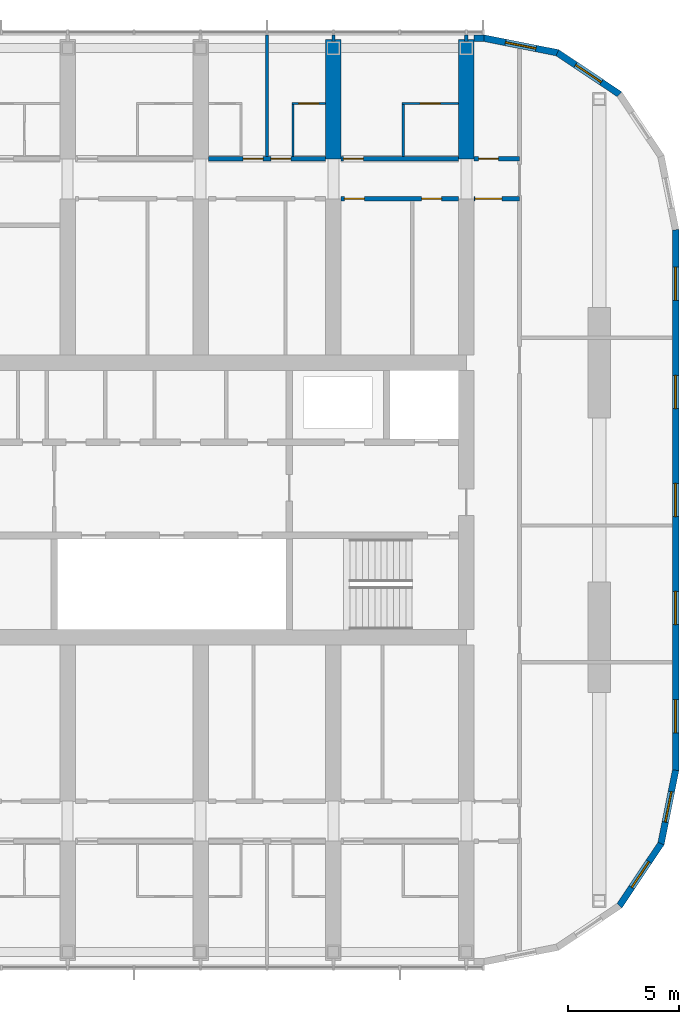
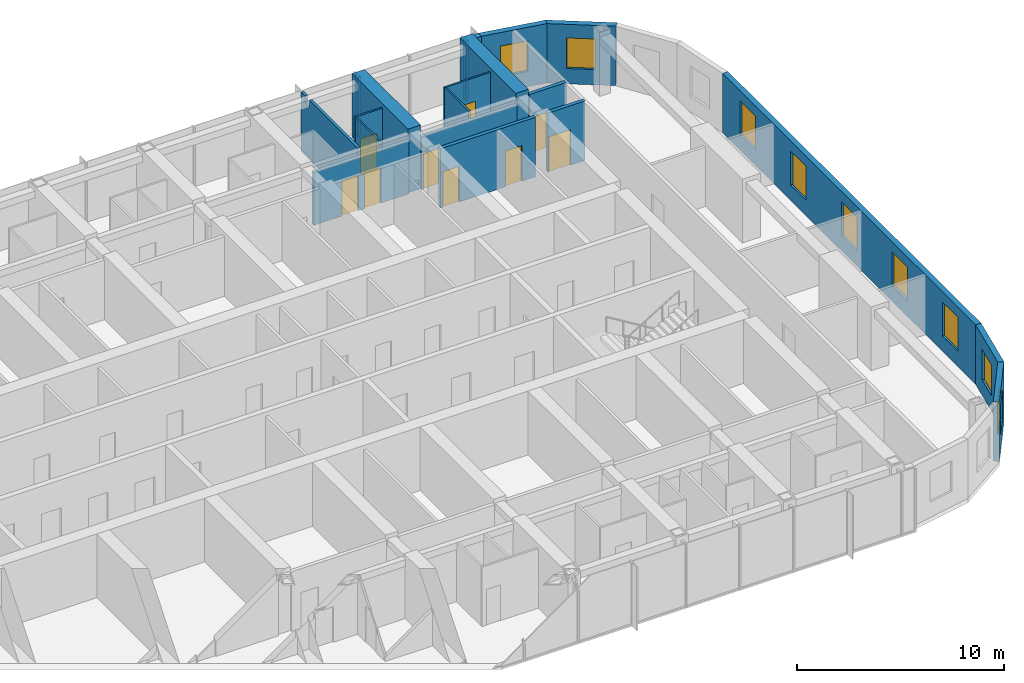
# One storey, part 17 of 23: 20 walls, 9 doors, 9 windows, 18 openings.
"""IFC4 building model written with IfcOpenShell, lengths in metres."""

from ifc_helpers import new_model, si_unit, direction, frame, frame_2d, origin, place, context, subcontext, project, spatial, polyline, rectangle, outline, extrude, material, layer, layer_set, type_object, element, fill, save


model = new_model("IFC4")

# Units and contexts
model_context = context("Model", 3, precision=1e-05, world=origin(), true_north=direction((0.0, 1.0)))
body_context = subcontext(model_context, "Body", "Model", "MODEL_VIEW")
ifc_project = project(units=[si_unit("LENGTHUNIT", "METRE"), si_unit("AREAUNIT", "SQUARE_METRE"), si_unit("VOLUMEUNIT", "CUBIC_METRE"), si_unit("PLANEANGLEUNIT", "RADIAN"), si_unit("MASSUNIT", "GRAM", prefix="KILO")], contexts=[model_context])

# Site, building, storey
site_placement = place(None, origin())
site = spatial("IfcSite", under=ifc_project, at=site_placement, CompositionType="ELEMENT")
building_placement = place(site_placement, origin())
building = spatial("IfcBuilding", under=site, at=building_placement, Name="Orbita Commons", CompositionType="ELEMENT")
storey_placement = place(building_placement, frame((0.0, 0.0, 220.300048828125)))
storey = spatial("IfcBuildingStorey", under=building, at=storey_placement, Name="L54", CompositionType="ELEMENT", Elevation=220.300048828125)

# Wall, openings, doors
ifc_material_1 = material(Name="Concrete blockwork", Category="masonry")
ifc_layer_1 = layer(ifc_material_1, 0.199951171875)
ifc_layer_set_1 = layer_set([ifc_layer_1], Name="Concrete blockwork")
wall_type_1 = type_object("IfcWallType", Name="Corridor wall 200 blockwork", PredefinedType="SOLIDWALL", material=ifc_layer_set_1)
wall_1_placement = place(storey_placement, frame((54.35009765625, 47.39990234375, 0.0), z_axis=(0.0, 0.0, 1.0), x_axis=(1.0, 0.0, 0.0)))
wall_1 = element("IfcWall", 1, at=wall_1_placement, inside=storey, type_object=wall_type_1, Name="Corridor wall 200 blockwork L54", PredefinedType="SOLIDWALL", context=body_context, shape_type="SweptSolid", body=[
    extrude(outline(polyline([(0.0, 0.0), (5.2998046875, 0.0), (5.300048828125, 3.099853515625), (0.0, 3.099853515625), (0.0, 0.0)])), frame((0.0, 0.10009765625, 0.0), z_axis=(0.0, -1.0, 0.0), x_axis=(1.0, 0.0, 0.0)), (0.0, 0.0, 1.0), 0.199951171875),
])
opening_1_placement = place(wall_1_placement, frame((1.574951171875, 0.0, 0.0)))
opening_1 = element("IfcOpeningElement", 2, at=opening_1_placement, cuts=wall_1, Name="Opening D11", PredefinedType="OPENING", context=body_context, shape_type="SweptSolid", body=[
    extrude(rectangle(XDim=0.89990234375, YDim=2.10009765625, at=frame_2d((0.449951171875, 1.050048828125))), frame((0.0, 0.10986328125, 0.0), z_axis=(0.0, -1.0, 0.0), x_axis=(1.0, 0.0, 0.0)), (0.0, 0.0, 1.0), 0.219970703125),
])
opening_2_placement = place(wall_1_placement, frame((2.824951171875, 0.0, 0.0)))
opening_2 = element("IfcOpeningElement", 3, at=opening_2_placement, cuts=wall_1, Name="Opening D11", PredefinedType="OPENING", context=body_context, shape_type="SweptSolid", body=[
    extrude(rectangle(XDim=0.89990234375, YDim=2.10009765625, at=frame_2d((0.449951171875, 1.050048828125))), frame((0.0, 0.10986328125, 0.0), z_axis=(0.0, -1.0, 0.0), x_axis=(1.0, 0.0, 0.0)), (0.0, 0.0, 1.0), 0.219970703125),
])
ifc_material_2 = material(Name="Steel-faced fire door leaf", Category="steel")
door_type_1 = type_object("IfcDoorType", Name="Corridor door 20 min 900x2100", OperationType="SINGLE_SWING_LEFT", PredefinedType="DOOR", material=ifc_material_2)
door_1_placement = place(opening_1_placement, origin())
door_1 = element("IfcDoor", 4, at=door_1_placement, inside=storey, type_object=door_type_1, Name="Cluster bedroom L54-N12 door", OperationType="SINGLE_SWING_LEFT", OverallHeight=2.10009765625, OverallWidth=0.89990234375, PredefinedType="DOOR", context=body_context, shape_type="SweptSolid", body=[
    extrude(rectangle(XDim=0.89990234375, YDim=2.10009765625, at=frame_2d((0.449951171875, 1.050048828125))), frame((0.0, 0.02490234375, 0.0), z_axis=(0.0, -1.0, 0.0), x_axis=(1.0, 0.0, 0.0)), (0.0, 0.0, 1.0), 0.050048828125),
])
fill(opening_1, door_1)
door_2_placement = place(opening_2_placement, origin())
door_2 = element("IfcDoor", 5, at=door_2_placement, inside=storey, type_object=door_type_1, Name="Cluster bedroom L54-N13 door", OperationType="SINGLE_SWING_LEFT", OverallHeight=2.10009765625, OverallWidth=0.89990234375, PredefinedType="DOOR", context=body_context, shape_type="SweptSolid", body=[
    extrude(rectangle(XDim=0.89990234375, YDim=2.10009765625, at=frame_2d((0.449951171875, 1.050048828125))), frame((0.0, 0.02490234375, 0.0), z_axis=(0.0, -1.0, 0.0), x_axis=(1.0, 0.0, 0.0)), (0.0, 0.0, 1.0), 0.050048828125),
])
fill(opening_2, door_2)

# Wall, opening, door
wall_2_placement = place(storey_placement, frame((60.35009765625, 47.39990234375, 0.0), z_axis=(0.0, 0.0, 1.0), x_axis=(1.0, 0.0, 0.0)))
wall_2 = element("IfcWall", 6, at=wall_2_placement, inside=storey, type_object=wall_type_1, Name="Corridor wall 200 blockwork L54", PredefinedType="SOLIDWALL", context=body_context, shape_type="SweptSolid", body=[
    extrude(outline(polyline([(0.0, 0.0), (5.2998046875, 0.0), (5.300048828125, 3.099853515625), (0.0, 3.099853515625), (0.0, 0.0)])), frame((0.0, 0.10009765625, 0.0), z_axis=(0.0, -1.0, 0.0), x_axis=(1.0, 0.0, 0.0)), (0.0, 0.0, 1.0), 0.199951171875),
])
opening_3_placement = place(wall_2_placement, frame((0.10009765625, 0.0, 0.0)))
opening_3 = element("IfcOpeningElement", 7, at=opening_3_placement, cuts=wall_2, Name="Opening D11", PredefinedType="OPENING", context=body_context, shape_type="SweptSolid", body=[
    extrude(rectangle(XDim=0.89990234375, YDim=2.10009765625, at=frame_2d((0.449951171875, 1.050048828125))), frame((0.0, 0.10986328125, 0.0), z_axis=(0.0, -1.0, 0.0), x_axis=(1.0, 0.0, 0.0)), (0.0, 0.0, 1.0), 0.219970703125),
])
door_3_placement = place(opening_3_placement, origin())
door_3 = element("IfcDoor", 8, at=door_3_placement, inside=storey, type_object=door_type_1, Name="Studio apartment with kitchenette L54-N14 door", OperationType="SINGLE_SWING_LEFT", OverallHeight=2.10009765625, OverallWidth=0.89990234375, PredefinedType="DOOR", context=body_context, shape_type="SweptSolid", body=[
    extrude(rectangle(XDim=0.89990234375, YDim=2.10009765625, at=frame_2d((0.449951171875, 1.050048828125))), frame((0.0, 0.02490234375, 0.0), z_axis=(0.0, -1.0, 0.0), x_axis=(1.0, 0.0, 0.0)), (0.0, 0.0, 1.0), 0.050048828125),
])
fill(opening_3, door_3)

wall_3_placement = place(storey_placement, frame((66.35009765625, 47.39990234375, 0.0), z_axis=(0.0, 0.0, 1.0), x_axis=(1.0, 0.0, 0.0)))
wall_3 = element("IfcWall", 9, at=wall_3_placement, inside=storey, type_object=wall_type_1, Name="Corridor wall 200 blockwork L54", PredefinedType="SOLIDWALL", context=body_context, shape_type="SweptSolid", body=[
    extrude(rectangle(XDim=2.0498046875, YDim=0.199951171875, at=frame_2d((1.02490234375, 0.0))), origin(), (0.0, 0.0, 1.0), 3.5),
])
opening_4_placement = place(wall_3_placement, frame((0.199951171875, 0.0, 0.0)))
opening_4 = element("IfcOpeningElement", 10, at=opening_4_placement, cuts=wall_3, Name="Opening D05", PredefinedType="OPENING", context=body_context, shape_type="SweptSolid", body=[
    extrude(rectangle(XDim=0.89990234375, YDim=2.10009765625, at=frame_2d((0.449951171875, 1.050048828125))), frame((0.0, 0.10986328125, 0.0), z_axis=(0.0, -1.0, 0.0), x_axis=(1.0, 0.0, 0.0)), (0.0, 0.0, 1.0), 0.219970703125),
])
ifc_material_3 = material(Name="Steel-faced fire door leaf", Category="steel")
door_type_2 = type_object("IfcDoorType", Name="Service door 20 min 900x2100", OperationType="SINGLE_SWING_LEFT", PredefinedType="DOOR", material=ifc_material_3)
door_4_placement = place(opening_4_placement, origin())
door_4 = element("IfcDoor", 11, at=door_4_placement, inside=storey, type_object=door_type_2, Name="Linen store L54-KEN door", OperationType="SINGLE_SWING_LEFT", OverallHeight=2.10009765625, OverallWidth=0.89990234375, PredefinedType="DOOR", context=body_context, shape_type="SweptSolid", body=[
    extrude(rectangle(XDim=0.89990234375, YDim=2.10009765625, at=frame_2d((0.449951171875, 1.050048828125))), frame((0.0, 0.02490234375, 0.0), z_axis=(0.0, -1.0, 0.0), x_axis=(1.0, 0.0, 0.0)), (0.0, 0.0, 1.0), 0.050048828125),
])
fill(opening_4, door_4)

# Wall, openings, doors
ifc_material_4 = material(Name="Hollow concrete block 200", Category="concrete")
ifc_layer_2 = layer(ifc_material_4, 0.199951171875)
ifc_layer_set_2 = layer_set([ifc_layer_2], Name="Hollow concrete block 200")
wall_type_2 = type_object("IfcWallType", Name="Corridor wall 200 hollow concrete block", PredefinedType="SOLIDWALL", material=ifc_layer_set_2)
wall_4_placement = place(storey_placement, frame((60.35009765625, 45.60009765625, 0.0), z_axis=(0.0, 0.0, 1.0), x_axis=(1.0, 0.0, 0.0)))
wall_4 = element("IfcWall", 12, at=wall_4_placement, inside=storey, type_object=wall_type_2, Name="Corridor wall 200 hollow concrete block L54", PredefinedType="SOLIDWALL", context=body_context, shape_type="SweptSolid", body=[
    extrude(rectangle(XDim=5.2998046875, YDim=0.199951171875, at=frame_2d((2.64990234375, 0.0))), origin(), (0.0, 0.0, 1.0), 3.5),
])
opening_5_placement = place(wall_4_placement, frame((0.14990234375, 0.0, 0.0)))
opening_5 = element("IfcOpeningElement", 13, at=opening_5_placement, cuts=wall_4, Name="Opening D11", PredefinedType="OPENING", context=body_context, shape_type="SweptSolid", body=[
    extrude(rectangle(XDim=0.89990234375, YDim=2.10009765625, at=frame_2d((0.449951171875, 1.050048828125))), frame((0.0, 0.10986328125, 0.0), z_axis=(0.0, -1.0, 0.0), x_axis=(1.0, 0.0, 0.0)), (0.0, 0.0, 1.0), 0.219970703125),
])
opening_6_placement = place(wall_4_placement, frame((3.635009765625, 0.0, 0.0)))
opening_6 = element("IfcOpeningElement", 14, at=opening_6_placement, cuts=wall_4, Name="Opening D11", PredefinedType="OPENING", context=body_context, shape_type="SweptSolid", body=[
    extrude(rectangle(XDim=0.89990234375, YDim=2.10009765625, at=frame_2d((0.449951171875, 1.050048828125))), frame((0.0, 0.10986328125, 0.0), z_axis=(0.0, -1.0, 0.0), x_axis=(1.0, 0.0, 0.0)), (0.0, 0.0, 1.0), 0.219970703125),
])
door_5_placement = place(opening_5_placement, origin())
door_5 = element("IfcDoor", 15, at=door_5_placement, inside=storey, type_object=door_type_1, Name="Parcel and post room L54-BDN60 door", OperationType="SINGLE_SWING_LEFT", OverallHeight=2.10009765625, OverallWidth=0.89990234375, PredefinedType="DOOR", context=body_context, shape_type="SweptSolid", body=[
    extrude(rectangle(XDim=0.89990234375, YDim=2.10009765625, at=frame_2d((0.449951171875, 1.050048828125))), frame((0.0, 0.02490234375, 0.0), z_axis=(0.0, -1.0, 0.0), x_axis=(1.0, 0.0, 0.0)), (0.0, 0.0, 1.0), 0.050048828125),
])
fill(opening_5, door_5)
door_6_placement = place(opening_6_placement, origin())
door_6 = element("IfcDoor", 16, at=door_6_placement, inside=storey, type_object=door_type_1, Name="Sprinkler valve room L54-BDN60n door", OperationType="SINGLE_SWING_LEFT", OverallHeight=2.10009765625, OverallWidth=0.89990234375, PredefinedType="DOOR", context=body_context, shape_type="SweptSolid", body=[
    extrude(rectangle(XDim=0.89990234375, YDim=2.10009765625, at=frame_2d((0.449951171875, 1.050048828125))), frame((0.0, 0.02490234375, 0.0), z_axis=(0.0, -1.0, 0.0), x_axis=(1.0, 0.0, 0.0)), (0.0, 0.0, 1.0), 0.050048828125),
])
fill(opening_6, door_6)

# Wall, opening, door
wall_5_placement = place(storey_placement, frame((66.35009765625, 45.60009765625, 0.0), z_axis=(0.0, 0.0, 1.0), x_axis=(1.0, 0.0, 0.0)))
wall_5 = element("IfcWall", 17, at=wall_5_placement, inside=storey, type_object=wall_type_2, Name="Corridor wall 200 hollow concrete block L54", PredefinedType="SOLIDWALL", context=body_context, shape_type="SweptSolid", body=[
    extrude(rectangle(XDim=2.0498046875, YDim=0.199951171875, at=frame_2d((1.02490234375, 0.0))), origin(), (0.0, 0.0, 1.0), 3.5),
])
opening_7_placement = place(wall_5_placement, frame((0.050048828125, 0.0, 0.0)))
opening_7 = element("IfcOpeningElement", 18, at=opening_7_placement, cuts=wall_5, Name="Opening D12", PredefinedType="OPENING", context=body_context, shape_type="SweptSolid", body=[
    extrude(rectangle(XDim=1.199951171875, YDim=2.10009765625, at=frame_2d((0.60009765625, 1.050048828125))), frame((0.0, 0.10986328125, 0.0), z_axis=(0.0, -1.0, 0.0), x_axis=(1.0, 0.0, 0.0)), (0.0, 0.0, 1.0), 0.219970703125),
])
ifc_material_5 = material(Name="Steel-faced fire door leaf", Category="steel")
door_type_3 = type_object("IfcDoorType", Name="Double corridor door 20 min 1200x2100", OperationType="DOUBLE_DOOR_SINGLE_SWING", PredefinedType="DOOR", material=ifc_material_5)
door_7_placement = place(opening_7_placement, origin())
door_7 = element("IfcDoor", 19, at=door_7_placement, inside=storey, type_object=door_type_3, Name="Cross corridor doors", OperationType="DOUBLE_DOOR_SINGLE_SWING", OverallHeight=2.10009765625, OverallWidth=1.199951171875, PredefinedType="DOOR", context=body_context, shape_type="SweptSolid", body=[
    extrude(rectangle(XDim=1.199951171875, YDim=2.10009765625, at=frame_2d((0.60009765625, 1.050048828125))), frame((0.0, 0.02490234375, 0.0), z_axis=(0.0, -1.0, 0.0), x_axis=(1.0, 0.0, 0.0)), (0.0, 0.0, 1.0), 0.050048828125),
])
fill(opening_7, door_7)

# Walls
ifc_material_6 = material(Name="Concrete C50/60", Category="concrete")
ifc_layer_3 = layer(ifc_material_6, 0.699951171875)
ifc_layer_set_3 = layer_set([ifc_layer_3], Name="Concrete C50/60")
wall_type_3 = type_object("IfcWallType", Name="Cross wall 700 C50/60", PredefinedType="SHEAR", material=ifc_layer_set_3)
for number, where, z_axis, x_axis, name in (
    (20, (60.0, 47.39990234375, 0.0), (0.0, 0.0, 1.0), (0.0, 1.0, 0.0), "Cross wall 11 north outer L54"),
    (21, (66.0, 47.39990234375, 0.0), (0.0, 0.0, 1.0), (0.0, 1.0, 0.0), "Cross wall 12 north outer L54"),
):
    element("IfcWall", number, at=place(storey_placement, frame(where, z_axis=z_axis, x_axis=x_axis)), inside=storey, type_object=wall_type_3, Name=name, PredefinedType="SHEAR", context=body_context, shape_type="SweptSolid", body=[
        extrude(rectangle(XDim=5.400146484375, YDim=0.699951171875, at=frame_2d((2.7001953125, 0.0))), origin(), (0.0, 0.0, 1.0), 3.75),
    ])

# Wall, opening, door
ifc_material_7 = material(Name="Moisture-resistant plasterboard on steel studs", Category="steel")
ifc_layer_4 = layer(ifc_material_7, 0.10009765625)
ifc_layer_set_4 = layer_set([ifc_layer_4], Name="Moisture-resistant plasterboard on steel studs")
wall_type_4 = type_object("IfcWallType", Name="En-suite partition 100", PredefinedType="PARTITIONING", material=ifc_layer_set_4)
wall_6_placement = place(storey_placement, frame((58.125, 49.89990234375, 0.0), z_axis=(0.0, 0.0, 1.0), x_axis=(1.0, 0.0, 0.0)))
wall_6 = element("IfcWall", 22, at=wall_6_placement, inside=storey, type_object=wall_type_4, Name="En-suite partition 100 L54", PredefinedType="PARTITIONING", context=body_context, shape_type="SweptSolid", body=[
    extrude(rectangle(XDim=1.52490234375, YDim=0.10009765625, at=frame_2d((0.762451171875, 0.0))), origin(), (0.0, 0.0, 1.0), 3.5),
])
opening_8_placement = place(wall_6_placement, frame((0.3125, 0.0, 0.0)))
opening_8 = element("IfcOpeningElement", 23, at=opening_8_placement, cuts=wall_6, Name="Opening D09", PredefinedType="OPENING", context=body_context, shape_type="SweptSolid", body=[
    extrude(rectangle(XDim=0.89990234375, YDim=2.10009765625, at=frame_2d((0.449951171875, 1.050048828125))), frame((0.0, 0.06005859375, 0.0), z_axis=(0.0, -1.0, 0.0), x_axis=(1.0, 0.0, 0.0)), (0.0, 0.0, 1.0), 0.1201171875),
])
ifc_material_8 = material(Name="Laminated timber door leaf", Category="wood")
door_type_4 = type_object("IfcDoorType", Name="En-suite door 900x2100", OperationType="SINGLE_SWING_RIGHT", PredefinedType="DOOR", material=ifc_material_8)
door_8_placement = place(opening_8_placement, origin())
door_8 = element("IfcDoor", 24, at=door_8_placement, inside=storey, type_object=door_type_4, Name="En-suite L54-N13 door", OperationType="SINGLE_SWING_RIGHT", OverallHeight=2.10009765625, OverallWidth=0.89990234375, PredefinedType="DOOR", context=body_context, shape_type="SweptSolid", body=[
    extrude(rectangle(XDim=0.89990234375, YDim=2.10009765625, at=frame_2d((0.449951171875, 1.050048828125))), frame((0.0, 0.02490234375, 0.0), z_axis=(0.0, -1.0, 0.0), x_axis=(1.0, 0.0, 0.0)), (0.0, 0.0, 1.0), 0.050048828125),
])
fill(opening_8, door_8)

# Wall
wall_7_placement = place(storey_placement, frame((58.175048828125, 49.85009765625, 0.0), z_axis=(0.0, 0.0, 1.0), x_axis=(0.0, -1.0, 0.0)))
element("IfcWall", 25, at=wall_7_placement, inside=storey, type_object=wall_type_4, Name="En-suite partition 100 L54", PredefinedType="PARTITIONING", context=body_context, shape_type="SweptSolid", body=[
    extrude(outline(polyline([(0.0, 0.0), (2.35009765625, 0.0), (2.35009765625, 3.099853515625), (2.302001953125, 3.099853515625), (2.300048828125, 3.5), (0.0, 3.5), (0.0, 0.0)])), frame((0.0, 0.050048828125, 0.0), z_axis=(0.0, -1.0, 0.0), x_axis=(1.0, 0.0, 0.0)), (0.0, 0.0, 1.0), 0.10009765625),
])

# Wall, opening, door
wall_8_placement = place(storey_placement, frame((63.10009765625, 49.89990234375, 0.0), z_axis=(0.0, 0.0, 1.0), x_axis=(1.0, 0.0, 0.0)))
wall_8 = element("IfcWall", 26, at=wall_8_placement, inside=storey, type_object=wall_type_4, Name="En-suite partition 100 L54", PredefinedType="PARTITIONING", context=body_context, shape_type="SweptSolid", body=[
    extrude(rectangle(XDim=2.5498046875, YDim=0.10009765625, at=frame_2d((1.27490234375, 0.0))), origin(), (0.0, 0.0, 1.0), 3.5),
])
opening_9_placement = place(wall_8_placement, frame((0.824951171875, 0.0, 0.0)))
opening_9 = element("IfcOpeningElement", 27, at=opening_9_placement, cuts=wall_8, Name="Opening D09", PredefinedType="OPENING", context=body_context, shape_type="SweptSolid", body=[
    extrude(rectangle(XDim=0.89990234375, YDim=2.10009765625, at=frame_2d((0.449951171875, 1.050048828125))), frame((0.0, 0.06005859375, 0.0), z_axis=(0.0, -1.0, 0.0), x_axis=(1.0, 0.0, 0.0)), (0.0, 0.0, 1.0), 0.1201171875),
])
door_9_placement = place(opening_9_placement, origin())
door_9 = element("IfcDoor", 28, at=door_9_placement, inside=storey, type_object=door_type_4, Name="En-suite L54-N14 door", OperationType="SINGLE_SWING_RIGHT", OverallHeight=2.10009765625, OverallWidth=0.89990234375, PredefinedType="DOOR", context=body_context, shape_type="SweptSolid", body=[
    extrude(rectangle(XDim=0.89990234375, YDim=2.10009765625, at=frame_2d((0.449951171875, 1.050048828125))), frame((0.0, 0.02490234375, 0.0), z_axis=(0.0, -1.0, 0.0), x_axis=(1.0, 0.0, 0.0)), (0.0, 0.0, 1.0), 0.050048828125),
])
fill(opening_9, door_9)

# Walls
wall_9_placement = place(storey_placement, frame((63.14990234375, 49.85009765625, 0.0), z_axis=(0.0, 0.0, 1.0), x_axis=(0.0, -1.0, 0.0)))
element("IfcWall", 29, at=wall_9_placement, inside=storey, type_object=wall_type_4, Name="En-suite partition 100 L54", PredefinedType="PARTITIONING", context=body_context, shape_type="SweptSolid", body=[
    extrude(outline(polyline([(0.0, 0.0), (2.35009765625, 0.0), (2.35009765625, 3.099853515625), (2.302001953125, 3.099853515625), (2.300048828125, 3.5), (0.0, 3.5), (0.0, 0.0)])), frame((0.0, 0.050048828125, 0.0), z_axis=(0.0, -1.0, 0.0), x_axis=(1.0, 0.0, 0.0)), (0.0, 0.0, 1.0), 0.10009765625),
])
ifc_material_9 = material(Name="Gypsum plasterboard on steel studs", Category="steel")
ifc_layer_5 = layer(ifc_material_9, 0.14990234375)
ifc_layer_set_5 = layer_set([ifc_layer_5], Name="Gypsum plasterboard on steel studs")
wall_type_5 = type_object("IfcWallType", Name="Partition 150 plasterboard", PredefinedType="PARTITIONING", material=ifc_layer_set_5)
for number, where, z_axis, x_axis, name in (
    (30, (60.0, 52.699951171875, 0.0), (0.0, 0.0, 1.0), (0.0, 1.0, 0.0), "Partition 150 plasterboard L54"),
    (31, (66.0, 52.699951171875, 0.0), (0.0, 0.0, 1.0), (0.0, 1.0, 0.0), "Partition 150 plasterboard L54"),
):
    element("IfcWall", number, at=place(storey_placement, frame(where, z_axis=z_axis, x_axis=x_axis)), inside=storey, type_object=wall_type_5, Name=name, PredefinedType="PARTITIONING", context=body_context, shape_type="SweptSolid", body=[
        extrude(rectangle(XDim=0.2900390625, YDim=0.14990234375, at=frame_2d((0.14501953125, 0.0))), origin(), (0.0, 0.0, 1.0), 3.5),
    ])
ifc_material_10 = material(Name="Gypsum plasterboard on steel studs", Category="steel")
ifc_layer_6 = layer(ifc_material_10, 0.14990234375)
ifc_layer_set_6 = layer_set([ifc_layer_6], Name="Gypsum plasterboard on steel studs")
wall_type_6 = type_object("IfcWallType", Name="Party wall 150 plasterboard", PredefinedType="PARTITIONING", material=ifc_layer_set_6)
wall_10_placement = place(storey_placement, frame((57.0, 52.989990234375, 0.0), z_axis=(0.0, 0.0, 1.0), x_axis=(0.0, -1.0, 0.0)))
element("IfcWall", 32, at=wall_10_placement, inside=storey, type_object=wall_type_6, Name="Party wall 150 plasterboard L54", PredefinedType="PARTITIONING", context=body_context, shape_type="SweptSolid", body=[
    extrude(outline(polyline([(0.0, 0.0), (5.489990234375, 0.0), (5.489990234375, 3.099853515625), (5.44189453125, 3.099853515625), (5.43994140625, 3.5), (0.7919921875, 3.5), (0.7900390625, 3.099853515625), (0.39208984375, 3.099853515625), (0.389892578125, 3.5), (0.0, 3.5), (0.0, 0.0)])), frame((0.0, 0.074951171875, 0.0), z_axis=(0.0, -1.0, 0.0), x_axis=(1.0, 0.0, 0.0)), (0.0, 0.0, 1.0), 0.14990234375),
])

# Wall, openings, windows
ifc_material_11 = material(Name="Precast concrete C40/50, white board-marked finish", Category="concrete")
ifc_layer_7 = layer(ifc_material_11, 0.300048828125)
ifc_layer_set_7 = layer_set([ifc_layer_7], Name="Precast concrete C40/50, white board-marked finish")
wall_type_7 = type_object("IfcWallType", Name="Precast concrete end shield 300", PredefinedType="SOLIDWALL", material=ifc_layer_set_7)
wall_11_placement = place(storey_placement, frame((75.449951171875, 19.800048828125, 0.0), z_axis=(0.0, 0.0, 1.0), x_axis=(0.0, 1.0, 0.0)))
wall_11 = element("IfcWall", 33, at=wall_11_placement, inside=storey, type_object=wall_type_7, Name="End shield E L54", PredefinedType="SOLIDWALL", context=body_context, shape_type="SweptSolid", body=[
    extrude(outline(polyline([(-0.014892578125, -0.14990234375), (24.414794921875, -0.14990234375), (24.385009765625, 0.14990234375), (0.014892578125, 0.14990234375), (-0.014892578125, -0.14990234375)])), origin(), (0.0, 0.0, 1.0), 3.5),
])
opening_10_placement = place(wall_11_placement, frame((1.68994140625, 0.0, 0.89990234375)))
opening_10 = element("IfcOpeningElement", 34, at=opening_10_placement, cuts=wall_11, Name="Opening W01", PredefinedType="OPENING", context=body_context, shape_type="SweptSolid", body=[
    extrude(rectangle(XDim=1.5, YDim=2.0, at=frame_2d((0.75, 1.0))), frame((0.0, 0.159912109375, 0.0), z_axis=(0.0, -1.0, 0.0), x_axis=(1.0, 0.0, 0.0)), (0.0, 0.0, 1.0), 0.320068359375),
])
opening_11_placement = place(wall_11_placement, frame((6.570068359375, 0.0, 0.89990234375)))
opening_11 = element("IfcOpeningElement", 35, at=opening_11_placement, cuts=wall_11, Name="Opening W01", PredefinedType="OPENING", context=body_context, shape_type="SweptSolid", body=[
    extrude(rectangle(XDim=1.5, YDim=2.0, at=frame_2d((0.75, 1.0))), frame((0.0, 0.159912109375, 0.0), z_axis=(0.0, -1.0, 0.0), x_axis=(1.0, 0.0, 0.0)), (0.0, 0.0, 1.0), 0.320068359375),
])
opening_12_placement = place(wall_11_placement, frame((11.449951171875, 0.0, 0.89990234375)))
opening_12 = element("IfcOpeningElement", 36, at=opening_12_placement, cuts=wall_11, Name="Opening W01", PredefinedType="OPENING", context=body_context, shape_type="SweptSolid", body=[
    extrude(rectangle(XDim=1.5, YDim=2.0, at=frame_2d((0.75, 1.0))), frame((0.0, 0.159912109375, 0.0), z_axis=(0.0, -1.0, 0.0), x_axis=(1.0, 0.0, 0.0)), (0.0, 0.0, 1.0), 0.320068359375),
])
opening_13_placement = place(wall_11_placement, frame((16.330078125, 0.0, 0.89990234375)))
opening_13 = element("IfcOpeningElement", 37, at=opening_13_placement, cuts=wall_11, Name="Opening W01", PredefinedType="OPENING", context=body_context, shape_type="SweptSolid", body=[
    extrude(rectangle(XDim=1.5, YDim=2.0, at=frame_2d((0.75, 1.0))), frame((0.0, 0.159912109375, 0.0), z_axis=(0.0, -1.0, 0.0), x_axis=(1.0, 0.0, 0.0)), (0.0, 0.0, 1.0), 0.320068359375),
])
opening_14_placement = place(wall_11_placement, frame((21.2099609375, 0.0, 0.89990234375)))
opening_14 = element("IfcOpeningElement", 38, at=opening_14_placement, cuts=wall_11, Name="Opening W01", PredefinedType="OPENING", context=body_context, shape_type="SweptSolid", body=[
    extrude(rectangle(XDim=1.5, YDim=2.0, at=frame_2d((0.75, 1.0))), frame((0.0, 0.159912109375, 0.0), z_axis=(0.0, -1.0, 0.0), x_axis=(1.0, 0.0, 0.0)), (0.0, 0.0, 1.0), 0.320068359375),
])
ifc_material_12 = material(Name="Aluminium frame, clear double glazing", Category="aluminium")
window_type_1 = type_object("IfcWindowType", Name="Deep-set window 1500x2000", PartitioningType="SINGLE_PANEL", PredefinedType="WINDOW", material=ifc_material_12)
window_1_placement = place(opening_10_placement, origin())
window_1 = element("IfcWindow", 39, at=window_1_placement, inside=storey, type_object=window_type_1, Name="Window L54-E 1", OverallHeight=2.0, OverallWidth=1.5, PartitioningType="SINGLE_PANEL", PredefinedType="WINDOW", context=body_context, shape_type="SweptSolid", body=[
    extrude(rectangle(XDim=1.5, YDim=2.0, at=frame_2d((0.75, 1.0))), frame((0.0, 0.030029296875, 0.0), z_axis=(0.0, -1.0, 0.0), x_axis=(1.0, 0.0, 0.0)), (0.0, 0.0, 1.0), 0.06005859375),
])
fill(opening_10, window_1)
window_2_placement = place(opening_11_placement, origin())
window_2 = element("IfcWindow", 40, at=window_2_placement, inside=storey, type_object=window_type_1, Name="Window L54-E 2", OverallHeight=2.0, OverallWidth=1.5, PartitioningType="SINGLE_PANEL", PredefinedType="WINDOW", context=body_context, shape_type="SweptSolid", body=[
    extrude(rectangle(XDim=1.5, YDim=2.0, at=frame_2d((0.75, 1.0))), frame((0.0, 0.030029296875, 0.0), z_axis=(0.0, -1.0, 0.0), x_axis=(1.0, 0.0, 0.0)), (0.0, 0.0, 1.0), 0.06005859375),
])
fill(opening_11, window_2)
window_3_placement = place(opening_12_placement, origin())
window_3 = element("IfcWindow", 41, at=window_3_placement, inside=storey, type_object=window_type_1, Name="Window L54-E 3", OverallHeight=2.0, OverallWidth=1.5, PartitioningType="SINGLE_PANEL", PredefinedType="WINDOW", context=body_context, shape_type="SweptSolid", body=[
    extrude(rectangle(XDim=1.5, YDim=2.0, at=frame_2d((0.75, 1.0))), frame((0.0, 0.030029296875, 0.0), z_axis=(0.0, -1.0, 0.0), x_axis=(1.0, 0.0, 0.0)), (0.0, 0.0, 1.0), 0.06005859375),
])
fill(opening_12, window_3)
window_4_placement = place(opening_13_placement, origin())
window_4 = element("IfcWindow", 42, at=window_4_placement, inside=storey, type_object=window_type_1, Name="Window L54-E 4", OverallHeight=2.0, OverallWidth=1.5, PartitioningType="SINGLE_PANEL", PredefinedType="WINDOW", context=body_context, shape_type="SweptSolid", body=[
    extrude(rectangle(XDim=1.5, YDim=2.0, at=frame_2d((0.75, 1.0))), frame((0.0, 0.030029296875, 0.0), z_axis=(0.0, -1.0, 0.0), x_axis=(1.0, 0.0, 0.0)), (0.0, 0.0, 1.0), 0.06005859375),
])
fill(opening_13, window_4)
window_5_placement = place(opening_14_placement, origin())
window_5 = element("IfcWindow", 43, at=window_5_placement, inside=storey, type_object=window_type_1, Name="Window L54-E 5", OverallHeight=2.0, OverallWidth=1.5, PartitioningType="SINGLE_PANEL", PredefinedType="WINDOW", context=body_context, shape_type="SweptSolid", body=[
    extrude(rectangle(XDim=1.5, YDim=2.0, at=frame_2d((0.75, 1.0))), frame((0.0, 0.030029296875, 0.0), z_axis=(0.0, -1.0, 0.0), x_axis=(1.0, 0.0, 0.0)), (0.0, 0.0, 1.0), 0.06005859375),
])
fill(opening_14, window_5)

# Wall, opening, window
wall_12_placement = place(storey_placement, frame((72.91650390625, 13.68359375, 0.0), z_axis=(0.0, 0.0, 1.0), x_axis=(0.555567969291, 0.831471124873, 0.0)))
wall_12 = element("IfcWall", 44, at=wall_12_placement, inside=storey, type_object=wall_type_7, Name="End shield SE chord 3 L54", PredefinedType="SOLIDWALL", context=body_context, shape_type="SweptSolid", body=[
    extrude(outline(polyline([(-0.02978515625, -0.14990234375), (3.40478515625, -0.14990234375), (3.34521484375, 0.14990234375), (0.02978515625, 0.14990234375), (-0.02978515625, -0.14990234375)])), origin(), (0.0, 0.0, 1.0), 3.5),
])
opening_15_placement = place(wall_12_placement, frame((0.987548828125, 0.0, 0.89990234375)))
opening_15 = element("IfcOpeningElement", 45, at=opening_15_placement, cuts=wall_12, Name="Opening W02", PredefinedType="OPENING", context=body_context, shape_type="SweptSolid", body=[
    extrude(rectangle(XDim=1.39990234375, YDim=1.800048828125, at=frame_2d((0.699951171875, 0.89990234375))), frame((0.0, 0.159912109375, 0.0), z_axis=(0.0, -1.0, 0.0), x_axis=(1.0, 0.0, 0.0)), (0.0, 0.0, 1.0), 0.320068359375),
])
ifc_material_13 = material(Name="Aluminium frame, clear double glazing", Category="aluminium")
window_type_2 = type_object("IfcWindowType", Name="Deep-set window 1400x1800", PartitioningType="SINGLE_PANEL", PredefinedType="WINDOW", material=ifc_material_13)
window_6_placement = place(opening_15_placement, origin())
window_6 = element("IfcWindow", 46, at=window_6_placement, inside=storey, type_object=window_type_2, Name="Window L54-SE2", OverallHeight=1.800048828125, OverallWidth=1.39990234375, PartitioningType="SINGLE_PANEL", PredefinedType="WINDOW", context=body_context, shape_type="SweptSolid", body=[
    extrude(rectangle(XDim=1.39990234375, YDim=1.800048828125, at=frame_2d((0.699951171875, 0.89990234375))), frame((0.0, 0.030029296875, 0.0), z_axis=(0.0, -1.0, 0.0), x_axis=(1.0, 0.0, 0.0)), (0.0, 0.0, 1.0), 0.06005859375),
])
fill(opening_15, window_6)

wall_13_placement = place(storey_placement, frame((74.79150390625, 16.48974609375, 0.0), z_axis=(0.0, 0.0, 1.0), x_axis=(0.19508664885, 0.980786011034, 0.0)))
wall_13 = element("IfcWall", 47, at=wall_13_placement, inside=storey, type_object=wall_type_7, Name="End shield SE chord 4 L54", PredefinedType="SOLIDWALL", context=body_context, shape_type="SweptSolid", body=[
    extrude(outline(polyline([(-0.02978515625, -0.14990234375), (3.39013671875, -0.14990234375), (3.3603515625, 0.14990234375), (0.02978515625, 0.14990234375), (-0.02978515625, -0.14990234375)])), origin(), (0.0, 0.0, 1.0), 3.5),
])
opening_16_placement = place(wall_13_placement, frame((0.987548828125, 0.0, 0.89990234375)))
opening_16 = element("IfcOpeningElement", 48, at=opening_16_placement, cuts=wall_13, Name="Opening W02", PredefinedType="OPENING", context=body_context, shape_type="SweptSolid", body=[
    extrude(rectangle(XDim=1.39990234375, YDim=1.800048828125, at=frame_2d((0.699951171875, 0.89990234375))), frame((0.0, 0.159912109375, 0.0), z_axis=(0.0, -1.0, 0.0), x_axis=(1.0, 0.0, 0.0)), (0.0, 0.0, 1.0), 0.320068359375),
])
window_7_placement = place(opening_16_placement, origin())
window_7 = element("IfcWindow", 49, at=window_7_placement, inside=storey, type_object=window_type_2, Name="Window L54-SE3", OverallHeight=1.800048828125, OverallWidth=1.39990234375, PartitioningType="SINGLE_PANEL", PredefinedType="WINDOW", context=body_context, shape_type="SweptSolid", body=[
    extrude(rectangle(XDim=1.39990234375, YDim=1.800048828125, at=frame_2d((0.699951171875, 0.89990234375))), frame((0.0, 0.030029296875, 0.0), z_axis=(0.0, -1.0, 0.0), x_axis=(1.0, 0.0, 0.0)), (0.0, 0.0, 1.0), 0.06005859375),
])
fill(opening_16, window_7)

wall_14_placement = place(storey_placement, frame((72.91650390625, 50.31640625, 0.0), z_axis=(0.0, 0.0, 1.0), x_axis=(-0.831460037396, 0.555584562613, 0.0)))
wall_14 = element("IfcWall", 50, at=wall_14_placement, inside=storey, type_object=wall_type_7, Name="End shield NE chord 3 L54", PredefinedType="SOLIDWALL", context=body_context, shape_type="SweptSolid", body=[
    extrude(outline(polyline([(-0.02978515625, -0.14990234375), (3.405029296875, -0.14990234375), (3.345458984375, 0.14990234375), (0.02978515625, 0.14990234375), (-0.02978515625, -0.14990234375)])), origin(), (0.0, 0.0, 1.0), 3.5),
])
opening_17_placement = place(wall_14_placement, frame((0.987548828125, 0.0, 0.89990234375)))
opening_17 = element("IfcOpeningElement", 51, at=opening_17_placement, cuts=wall_14, Name="Opening W02", PredefinedType="OPENING", context=body_context, shape_type="SweptSolid", body=[
    extrude(rectangle(XDim=1.39990234375, YDim=1.800048828125, at=frame_2d((0.699951171875, 0.89990234375))), frame((0.0, 0.159912109375, 0.0), z_axis=(0.0, -1.0, 0.0), x_axis=(1.0, 0.0, 0.0)), (0.0, 0.0, 1.0), 0.320068359375),
])
window_8_placement = place(opening_17_placement, origin())
window_8 = element("IfcWindow", 52, at=window_8_placement, inside=storey, type_object=window_type_2, Name="Window L54-NE2", OverallHeight=1.800048828125, OverallWidth=1.39990234375, PartitioningType="SINGLE_PANEL", PredefinedType="WINDOW", context=body_context, shape_type="SweptSolid", body=[
    extrude(rectangle(XDim=1.39990234375, YDim=1.800048828125, at=frame_2d((0.699951171875, 0.89990234375))), frame((0.0, 0.030029296875, 0.0), z_axis=(0.0, -1.0, 0.0), x_axis=(1.0, 0.0, 0.0)), (0.0, 0.0, 1.0), 0.06005859375),
])
fill(opening_17, window_8)

wall_15_placement = place(storey_placement, frame((70.110107421875, 52.191650390625, 0.0), z_axis=(0.0, 0.0, 1.0), x_axis=(-0.98078325777, 0.195100490205, 0.0)))
wall_15 = element("IfcWall", 53, at=wall_15_placement, inside=storey, type_object=wall_type_7, Name="End shield NE chord 4 L54", PredefinedType="SOLIDWALL", context=body_context, shape_type="SweptSolid", body=[
    extrude(outline(polyline([(-0.02978515625, -0.14990234375), (3.40478515625, -0.14990234375), (3.34521484375, 0.14990234375), (0.02978515625, 0.14990234375), (-0.02978515625, -0.14990234375)])), origin(), (0.0, 0.0, 1.0), 3.5),
])
opening_18_placement = place(wall_15_placement, frame((0.987548828125, 0.0, 0.89990234375)))
opening_18 = element("IfcOpeningElement", 54, at=opening_18_placement, cuts=wall_15, Name="Opening W02", PredefinedType="OPENING", context=body_context, shape_type="SweptSolid", body=[
    extrude(rectangle(XDim=1.39990234375, YDim=1.800048828125, at=frame_2d((0.699951171875, 0.89990234375))), frame((0.0, 0.159912109375, 0.0), z_axis=(0.0, -1.0, 0.0), x_axis=(1.0, 0.0, 0.0)), (0.0, 0.0, 1.0), 0.320068359375),
])
window_9_placement = place(opening_18_placement, origin())
window_9 = element("IfcWindow", 55, at=window_9_placement, inside=storey, type_object=window_type_2, Name="Window L54-NE3", OverallHeight=1.800048828125, OverallWidth=1.39990234375, PartitioningType="SINGLE_PANEL", PredefinedType="WINDOW", context=body_context, shape_type="SweptSolid", body=[
    extrude(rectangle(XDim=1.39990234375, YDim=1.800048828125, at=frame_2d((0.699951171875, 0.89990234375))), frame((0.0, 0.030029296875, 0.0), z_axis=(0.0, -1.0, 0.0), x_axis=(1.0, 0.0, 0.0)), (0.0, 0.0, 1.0), 0.06005859375),
])
fill(opening_18, window_9)

# Wall
wall_16_placement = place(storey_placement, frame((66.800048828125, 52.85009765625, 0.0), z_axis=(0.0, 0.0, 1.0), x_axis=(-1.0, 0.0, 0.0)))
element("IfcWall", 56, at=wall_16_placement, inside=storey, type_object=wall_type_7, Name="End shield NE closer L54", PredefinedType="SOLIDWALL", context=body_context, shape_type="SweptSolid", body=[
    extrude(rectangle(XDim=0.449951171875, YDim=0.300048828125, at=frame_2d((0.22509765625, 0.0))), origin(), (0.0, 0.0, 1.0), 3.5),
])

save(model, "model.ifc")
